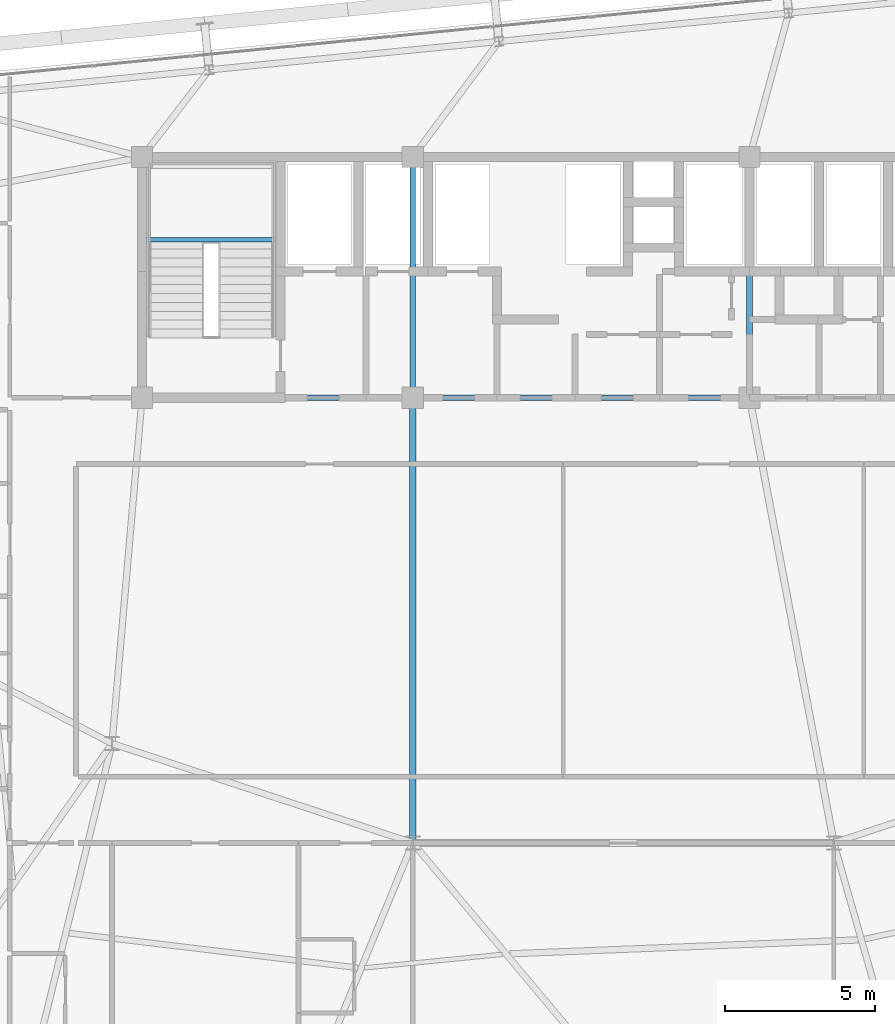
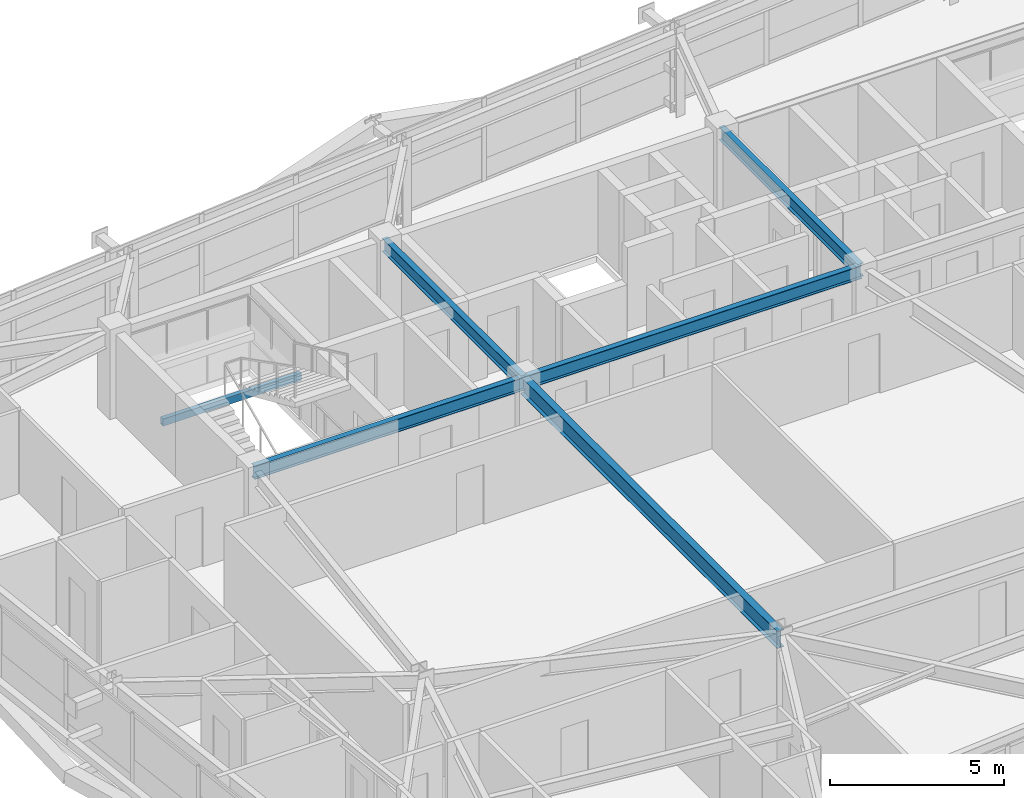
# One storey, part 16 of 53: 6 beams.
"""IFC4 building model written with IfcOpenShell, lengths in metres."""

from ifc_helpers import new_model, si_unit, direction, frame, origin, origin_2d, place, context, subcontext, project, spatial, hollow_rectangle, i_section, extrude, source, transform, mapped, material, material_profile, profile_set, type_object, element, save


model = new_model("IFC4")

# Units and contexts
model_context = context("Model", 3, precision=1e-05, world=origin(), true_north=direction((0.0, 1.0)))
body_context = subcontext(model_context, "Body", "Model", "MODEL_VIEW")
ifc_project = project(units=[si_unit("LENGTHUNIT", "METRE"), si_unit("AREAUNIT", "SQUARE_METRE"), si_unit("VOLUMEUNIT", "CUBIC_METRE"), si_unit("PLANEANGLEUNIT", "RADIAN"), si_unit("MASSUNIT", "GRAM", prefix="KILO")], contexts=[model_context])

# Site, building, storey
site_placement = place(None, origin())
site = spatial("IfcSite", under=ifc_project, at=site_placement, CompositionType="ELEMENT")
building_placement = place(site_placement, origin())
building = spatial("IfcBuilding", under=site, at=building_placement, Name="Taldren Reach Tower", CompositionType="ELEMENT")
storey_placement = place(building_placement, frame((0.0, 0.0, 84.0)))
storey = spatial("IfcBuildingStorey", under=building, at=storey_placement, Name="L25", CompositionType="ELEMENT", Elevation=84.0)

# Beams
ifc_material_1 = material(Name="Steel Gr 350 (350PLUS)", Category="steel")
ifc_material_profile_1 = material_profile(ifc_material_1, i_section(OverallWidth=0.19091796875, OverallDepth=0.4599609375, WebThickness=0.010009765625, FlangeThickness=0.01611328125, at=origin_2d()), Name="460UB82.1")
ifc_profile_set_1 = profile_set([ifc_material_profile_1], Name="Steel Gr 350 (350PLUS)")
beam_type_1 = type_object("IfcBeamType", Name="BM-UB460A", PredefinedType="BEAM", material=ifc_profile_set_1)
shared_shape_1 = source(origin(), body_context, "Body", "SweptSolid", [
    extrude(i_section(OverallWidth=0.19091796875, OverallDepth=0.4599609375, WebThickness=0.010009765625, FlangeThickness=0.01611328125, at=origin_2d()), origin(), (0.0, 0.0, 1.0), 9.0),
])
beam_1_placement = place(storey_placement, frame((19.0, 24.0, 2.699951171875), z_axis=(1.0, 0.0, 0.0), x_axis=(0.0, 1.0, 0.0)))
element("IfcBeam", 1, at=beam_1_placement, inside=storey, type_object=beam_type_1, Name="Core-spine girder L25-SP01", PredefinedType="BEAM", context=body_context, shape_type="MappedRepresentation", body=[
    mapped(shared_shape_1, transform((0.0, 0.0, 0.0), scale=1.0)),
])
shared_shape_2 = source(origin(), body_context, "Body", "SweptSolid", [
    extrude(i_section(OverallWidth=0.19091796875, OverallDepth=0.4599609375, WebThickness=0.010009765625, FlangeThickness=0.01611328125, at=origin_2d()), origin(), (0.0, 0.0, 1.0), 11.199951171875),
])
beam_2_placement = place(storey_placement, frame((28.0, 24.0, 2.699951171875), z_axis=(1.0, 0.0, 0.0), x_axis=(0.0, 1.0, 0.0)))
element("IfcBeam", 2, at=beam_2_placement, inside=storey, type_object=beam_type_1, Name="Core-spine girder L25-SP02", PredefinedType="BEAM", context=body_context, shape_type="MappedRepresentation", body=[
    mapped(shared_shape_2, transform((0.0, 0.0, 0.0), scale=1.0)),
])
shared_shape_3 = source(origin(), body_context, "Body", "SweptSolid", [
    extrude(i_section(OverallWidth=0.19091796875, OverallDepth=0.4599609375, WebThickness=0.010009765625, FlangeThickness=0.01611328125, at=origin_2d()), origin(), (0.0, 0.0, 1.0), 8.0),
])
for number, where, z_axis, x_axis, name in (
    (3, (28.0, 24.0, 2.699951171875), (0.0, 1.0, 0.0), (-1.0, 0.0, 0.0), "Core-spine girder L25-SP07"),
    (4, (39.199951171875, 24.0, 2.699951171875), (0.0, 1.0, 0.0), (-1.0, 0.0, 0.0), "Core-spine girder L25-SP08"),
):
    element("IfcBeam", number, at=place(storey_placement, frame(where, z_axis=z_axis, x_axis=x_axis)), inside=storey, type_object=beam_type_1, Name=name, PredefinedType="BEAM", context=body_context, shape_type="MappedRepresentation", body=[
        mapped(shared_shape_3, transform((0.0, 0.0, 0.0), scale=1.0)),
    ])
ifc_material_profile_2 = material_profile(ifc_material_1, i_section(OverallWidth=0.22802734375, OverallDepth=0.60205078125, WebThickness=0.010498046875, FlangeThickness=0.014892578125, at=origin_2d()), Name="610UB101")
ifc_profile_set_2 = profile_set([ifc_material_profile_2], Name="Steel Gr 350 (350PLUS)")
beam_type_2 = type_object("IfcBeamType", Name="BM-UB610B", PredefinedType="BEAM", material=ifc_profile_set_2)
shared_shape_4 = source(origin(), body_context, "Body", "SweptSolid", [
    extrude(i_section(OverallWidth=0.22802734375, OverallDepth=0.60205078125, WebThickness=0.010498046875, FlangeThickness=0.014892578125, at=origin_2d()), origin(), (0.0, 0.0, 1.0), 14.800048828125),
])
beam_3_placement = place(storey_placement, frame((28.0, 24.0, 2.62890625), z_axis=(0.0, -1.0, 0.0), x_axis=(1.0, 0.0, 0.0)))
element("IfcBeam", 5, at=beam_3_placement, inside=storey, type_object=beam_type_2, Name="Core-spine girder L25-SP14", PredefinedType="BEAM", context=body_context, shape_type="MappedRepresentation", body=[
    mapped(shared_shape_4, transform((0.0, 0.0, 0.0), scale=1.0)),
])
ifc_material_2 = material(Name="Steel Gr 350 (C350L0)", Category="steel")
ifc_material_profile_3 = material_profile(ifc_material_2, hollow_rectangle(XDim=0.14990234375, YDim=0.25, WallThickness=0.009033203125, at=origin_2d()), Name="250x150x9.0RHS")
ifc_profile_set_3 = profile_set([ifc_material_profile_3], Name="Steel Gr 350 (C350L0)")
beam_type_3 = type_object("IfcBeamType", Name="LN-RHS250", PredefinedType="LINTEL", material=ifc_profile_set_3)
shared_shape_5 = source(origin(), body_context, "Body", "SweptSolid", [
    extrude(hollow_rectangle(XDim=0.14990234375, YDim=0.25, WallThickness=0.009033203125, at=origin_2d()), origin(), (0.0, 0.0, 1.0), 4.60009765625),
])
beam_4_placement = place(storey_placement, frame((19.0, 29.2548828125, 1.27001953125), z_axis=(1.0, 0.0, 0.0), x_axis=(0.0, 1.0, 0.0)))
element("IfcBeam", 6, at=beam_4_placement, inside=storey, type_object=beam_type_3, Name="Stair half-landing support beam ST1-L25-1", PredefinedType="LINTEL", context=body_context, shape_type="MappedRepresentation", body=[
    mapped(shared_shape_5, transform((0.0, 0.0, 0.0), scale=1.0)),
])

save(model, "model.ifc")
